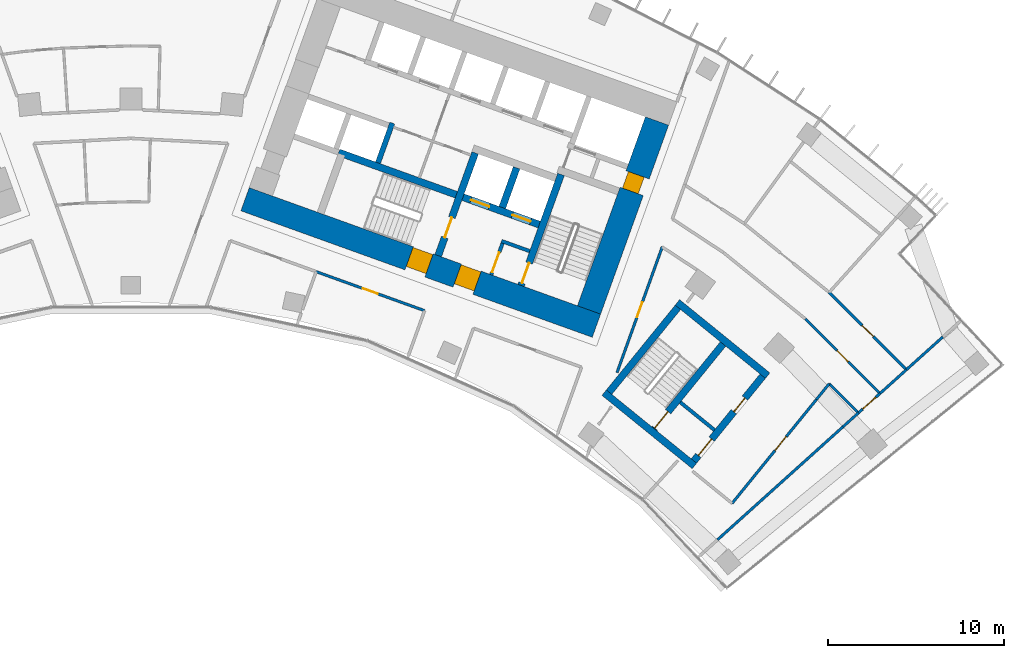
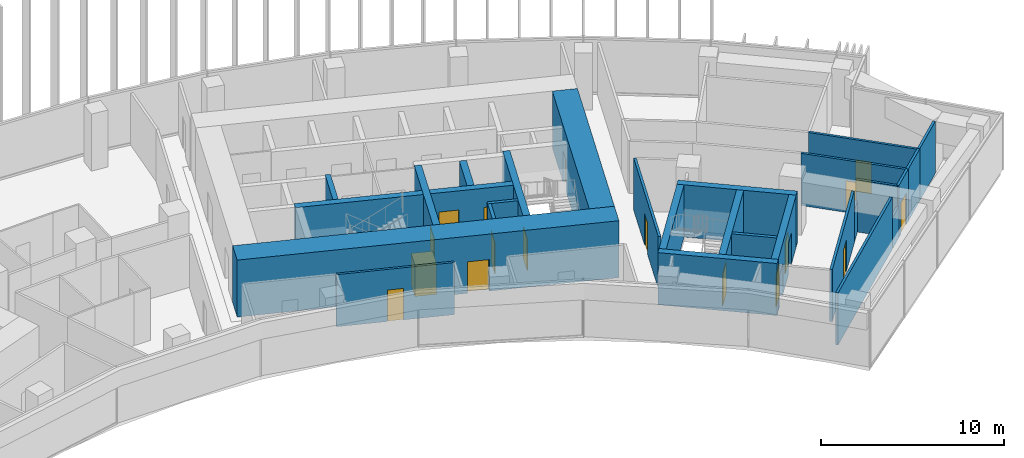
# One storey, part 19 of 23: 27 walls, 17 doors, 17 openings.
"""IFC4 building model written with IfcOpenShell, lengths in metres."""

from ifc_helpers import new_model, si_unit, direction, frame, frame_2d, origin, place, context, subcontext, project, spatial, rectangle, extrude, material, layer, layer_set, type_object, element, fill, save


model = new_model("IFC4")

# Units and contexts
model_context = context("Model", 3, precision=1e-05, world=origin(), true_north=direction((0.0, 1.0)))
body_context = subcontext(model_context, "Body", "Model", "MODEL_VIEW")
ifc_project = project(units=[si_unit("LENGTHUNIT", "METRE"), si_unit("AREAUNIT", "SQUARE_METRE"), si_unit("VOLUMEUNIT", "CUBIC_METRE"), si_unit("PLANEANGLEUNIT", "RADIAN"), si_unit("MASSUNIT", "GRAM", prefix="KILO")], contexts=[model_context])

# Site, building, storey
site_placement = place(None, origin())
site = spatial("IfcSite", under=ifc_project, at=site_placement, CompositionType="ELEMENT")
building_placement = place(site_placement, origin())
building = spatial("IfcBuilding", under=site, at=building_placement, Name="Stone Belt Terrace Tower", CompositionType="ELEMENT")
storey_placement = place(building_placement, frame((0.0, 0.0, 166.800048828125)))
storey = spatial("IfcBuildingStorey", under=building, at=storey_placement, Name="L40", CompositionType="ELEMENT", Elevation=166.800048828125)

# Wall, openings, doors
ifc_material_1 = material(Name="Concrete B80", Category="concrete")
ifc_layer_1 = layer(ifc_material_1, 1.39990234375)
ifc_layer_set_1 = layer_set([ifc_layer_1], Name="Core wall 1400 B80")
wall_type_1 = type_object("IfcWallType", Name="Core wall 1400 B80", PredefinedType="SHEAR", material=ifc_layer_set_1)
wall_1_placement = place(storey_placement, frame((6.4833984375, 49.318115234375, 0.0), z_axis=(0.0, 0.0, 1.0), x_axis=(0.940923374003, -0.33861955681, 0.0)))
wall_1 = element("IfcWall", 1, at=wall_1_placement, inside=storey, type_object=wall_type_1, Name="Core B wall concave L40", PredefinedType="SHEAR", context=body_context, shape_type="SweptSolid", body=[
    extrude(rectangle(XDim=21.199951171875, YDim=1.39990234375, at=frame_2d((10.60009765625, 0.0))), origin(), (0.0, 0.0, 1.0), 3.800048828125),
])
opening_1_placement = place(wall_1_placement, frame((12.800048828125, 0.0, 0.0)))
opening_1 = element("IfcOpeningElement", 2, at=opening_1_placement, cuts=wall_1, Name="Opening L40-C23", PredefinedType="OPENING", context=body_context, shape_type="SweptSolid", body=[
    extrude(rectangle(XDim=1.199951171875, YDim=2.10009765625, at=frame_2d((0.60009765625, 1.050048828125))), frame((0.0, 0.7099609375, 0.0), z_axis=(0.0, -1.0, 0.0), x_axis=(1.0, 0.0, 0.0)), (0.0, 0.0, 1.0), 1.419921875),
])
opening_2_placement = place(wall_1_placement, frame((9.89990234375, 0.0, 0.0)))
opening_2 = element("IfcOpeningElement", 3, at=opening_2_placement, cuts=wall_1, Name="Opening L40-C25", PredefinedType="OPENING", context=body_context, shape_type="SweptSolid", body=[
    extrude(rectangle(XDim=1.199951171875, YDim=2.10009765625, at=frame_2d((0.60009765625, 1.050048828125))), frame((0.0, 0.7099609375, 0.0), z_axis=(0.0, -1.0, 0.0), x_axis=(1.0, 0.0, 0.0)), (0.0, 0.0, 1.0), 1.419921875),
])
ifc_material_2 = material(Name="Steel door leaf", Category="steel")
door_type_1 = type_object("IfcDoorType", Name="Fire-fighting lobby door 1200", OperationType="SINGLE_SWING_LEFT", PredefinedType="DOOR", material=ifc_material_2)
door_1_placement = place(opening_1_placement, origin())
door_1 = element("IfcDoor", 4, at=door_1_placement, inside=storey, type_object=door_type_1, Name="Fire-fighting lobby door core B", OperationType="SINGLE_SWING_RIGHT", OverallHeight=2.10009765625, OverallWidth=1.199951171875, PredefinedType="DOOR", context=body_context, shape_type="SweptSolid", body=[
    extrude(rectangle(XDim=1.199951171875, YDim=2.10009765625, at=frame_2d((0.60009765625, 1.050048828125))), frame((0.0, 0.655029296875, 0.0), z_axis=(0.0, -1.0, 0.0), x_axis=(1.0, 0.0, 0.0)), (0.0, 0.0, 1.0), 1.14990234375),
])
fill(opening_1, door_1)
door_type_2 = type_object("IfcDoorType", Name="Stair door 1200", OperationType="SINGLE_SWING_LEFT", PredefinedType="DOOR", material=ifc_material_2)
door_2_placement = place(opening_2_placement, origin())
door_2 = element("IfcDoor", 5, at=door_2_placement, inside=storey, type_object=door_type_2, Name="Stair 2 exit door core B", OperationType="SINGLE_SWING_LEFT", OverallHeight=2.10009765625, OverallWidth=1.199951171875, PredefinedType="DOOR", context=body_context, shape_type="SweptSolid", body=[
    extrude(rectangle(XDim=1.199951171875, YDim=2.10009765625, at=frame_2d((0.60009765625, 1.050048828125))), frame((0.0, 0.655029296875, 0.0), z_axis=(0.0, -1.0, 0.0), x_axis=(1.0, 0.0, 0.0)), (0.0, 0.0, 1.0), 1.14990234375),
])
fill(opening_2, door_2)

# Wall, opening, door
wall_2_placement = place(storey_placement, frame((26.00927734375, 43.03515625, 0.0), z_axis=(0.0, 0.0, 1.0), x_axis=(0.338625431531, 0.940921259788, 0.0)))
wall_2 = element("IfcWall", 6, at=wall_2_placement, inside=storey, type_object=wall_type_1, Name="Core B wall end_b L40", PredefinedType="SHEAR", context=body_context, shape_type="SweptSolid", body=[
    extrude(rectangle(XDim=11.400146484375, YDim=1.39990234375, at=frame_2d((5.7001953125, 0.0))), origin(), (0.0, 0.0, 1.0), 3.800048828125),
])
opening_3_placement = place(wall_2_placement, frame((7.14990234375, 0.0, 0.0)))
opening_3 = element("IfcOpeningElement", 7, at=opening_3_placement, cuts=wall_2, Name="Opening L40-C17", PredefinedType="OPENING", context=body_context, shape_type="SweptSolid", body=[
    extrude(rectangle(XDim=1.0, YDim=2.10009765625, at=frame_2d((0.5, 1.050048828125))), frame((0.0, 0.7099609375, 0.0), z_axis=(0.0, -1.0, 0.0), x_axis=(1.0, 0.0, 0.0)), (0.0, 0.0, 1.0), 1.419921875),
])
ifc_material_3 = material(Name="Timber door leaf", Category="wood")
door_type_3 = type_object("IfcDoorType", Name="Core room door 1000", OperationType="SINGLE_SWING_LEFT", PredefinedType="DOOR", material=ifc_material_3)
door_3_placement = place(opening_3_placement, origin())
door_3 = element("IfcDoor", 8, at=door_3_placement, inside=storey, type_object=door_type_3, Name="Door to Telecommunications riser room core B", OperationType="SINGLE_SWING_LEFT", OverallHeight=2.10009765625, OverallWidth=1.0, PredefinedType="DOOR", context=body_context, shape_type="SweptSolid", body=[
    extrude(rectangle(XDim=1.0, YDim=2.10009765625, at=frame_2d((0.5, 1.050048828125))), frame((0.0, 0.55517578125, 0.0), z_axis=(0.0, -1.0, 0.0), x_axis=(1.0, 0.0, 0.0)), (0.0, 0.0, 1.0), 0.949951171875),
])
fill(opening_3, door_3)

# Walls
ifc_layer_2 = layer(ifc_material_1, 0.39990234375)
ifc_layer_set_2 = layer_set([ifc_layer_2], Name="Fire-fighting lift shaft wall 400")
wall_type_2 = type_object("IfcWallType", Name="Fire-fighting lift shaft wall 400", PredefinedType="SHEAR", material=ifc_layer_set_2)
wall_3_placement = place(storey_placement, frame((21.0859375, 48.845458984375, 0.0), z_axis=(0.0, 0.0, 1.0), x_axis=(0.338629416206, 0.940919825745, 0.0)))
element("IfcWall", 9, at=wall_3_placement, inside=storey, type_object=wall_type_2, Name="Core B wall", PredefinedType="SHEAR", context=body_context, shape_type="SweptSolid", body=[
    extrude(rectangle(XDim=2.400146484375, YDim=0.39990234375, at=frame_2d((1.2001953125, 0.0))), origin(), (0.0, 0.0, 1.0), 3.47998046875),
])
ifc_layer_3 = layer(ifc_material_1, 0.300048828125)
ifc_layer_set_3 = layer_set([ifc_layer_3], Name="Lift shaft wall 300")
wall_type_3 = type_object("IfcWallType", Name="Lift shaft wall 300", PredefinedType="SHEAR", material=ifc_layer_set_3)
wall_4_placement = place(storey_placement, frame((14.029052734375, 51.38525390625, 0.0), z_axis=(0.0, 0.0, 1.0), x_axis=(0.338661829791, 0.940908159728, 0.0)))
element("IfcWall", 10, at=wall_4_placement, inside=storey, type_object=wall_type_3, Name="Core B wall", PredefinedType="SHEAR", context=body_context, shape_type="SweptSolid", body=[
    extrude(rectangle(XDim=2.39990234375, YDim=0.300048828125, at=frame_2d((1.199951171875, 0.0))), origin(), (0.0, 0.0, 1.0), 3.47998046875),
])

# Wall, opening, door
ifc_material_4 = material(Name="Gypsum board partition")
ifc_layer_4 = layer(ifc_material_4, 0.14990234375)
ifc_layer_set_4 = layer_set([ifc_layer_4], Name="PARTITION 150 EI 60")
wall_type_4 = type_object("IfcWallType", Name="PARTITION 150 EI 60", PredefinedType="PARTITIONING", material=ifc_layer_set_4)
wall_5_placement = place(storey_placement, frame((30.1669921875, 46.612060546875, 0.0), z_axis=(0.0, 0.0, 1.0), x_axis=(-0.338694393991, -0.940896438233, 0.0)))
wall_5 = element("IfcWall", 11, at=wall_5_placement, inside=storey, type_object=wall_type_4, Name="L40/wall/i029", PredefinedType="PARTITIONING", context=body_context, shape_type="SweptSolid", body=[
    extrude(rectangle(XDim=7.585205078125, YDim=0.14990234375, at=frame_2d((3.79248046875, 0.0))), origin(), (0.0, 0.0, 1.0), 3.47998046875),
])
opening_4_placement = place(wall_5_placement, frame((3.342529296875, 0.0, 0.0)))
opening_4 = element("IfcOpeningElement", 12, at=opening_4_placement, cuts=wall_5, Name="Opening D-C2-20", PredefinedType="OPENING", context=body_context, shape_type="SweptSolid", body=[
    extrude(rectangle(XDim=0.89990234375, YDim=2.10009765625, at=frame_2d((0.449951171875, 1.050048828125))), frame((0.0, 0.0849609375, 0.0), z_axis=(0.0, -1.0, 0.0), x_axis=(1.0, 0.0, 0.0)), (0.0, 0.0, 1.0), 0.169921875),
])
door_type_4 = type_object("IfcDoorType", Name="OFFICE DOOR 900 X 2100", OperationType="NOTDEFINED", PredefinedType="DOOR", material=ifc_material_3)
door_4_placement = place(opening_4_placement, origin())
door_4 = element("IfcDoor", 13, at=door_4_placement, inside=storey, type_object=door_type_4, Name="L40/door/i20", OperationType="SINGLE_SWING_RIGHT", OverallHeight=2.10009765625, OverallWidth=0.89990234375, PredefinedType="DOOR", context=body_context, shape_type="SweptSolid", body=[
    extrude(rectangle(XDim=0.89990234375, YDim=2.10009765625, at=frame_2d((0.449951171875, 1.050048828125))), frame((0.0, 0.02490234375, 0.0), z_axis=(0.0, -1.0, 0.0), x_axis=(1.0, 0.0, 0.0)), (0.0, 0.0, 1.0), 0.050048828125),
])
fill(opening_4, door_4)

wall_6_placement = place(storey_placement, frame((16.673095703125, 42.993896484375, 0.0), z_axis=(0.0, 0.0, 1.0), x_axis=(-0.940900248157, 0.338683809795, 0.0)))
wall_6 = element("IfcWall", 14, at=wall_6_placement, inside=storey, type_object=wall_type_4, Name="L40/wall/i036", PredefinedType="PARTITIONING", context=body_context, shape_type="SweptSolid", body=[
    extrude(rectangle(XDim=6.546142578125, YDim=0.14990234375, at=frame_2d((3.27294921875, 0.0))), origin(), (0.0, 0.0, 1.0), 3.47998046875),
])
opening_5_placement = place(wall_6_placement, frame((2.822998046875, 0.0, 0.0)))
opening_5 = element("IfcOpeningElement", 15, at=opening_5_placement, cuts=wall_6, Name="Opening D-C2-08", PredefinedType="OPENING", context=body_context, shape_type="SweptSolid", body=[
    extrude(rectangle(XDim=0.89990234375, YDim=2.10009765625, at=frame_2d((0.449951171875, 1.050048828125))), frame((0.0, 0.0849609375, 0.0), z_axis=(0.0, -1.0, 0.0), x_axis=(1.0, 0.0, 0.0)), (0.0, 0.0, 1.0), 0.169921875),
])
door_5_placement = place(opening_5_placement, origin())
door_5 = element("IfcDoor", 16, at=door_5_placement, inside=storey, type_object=door_type_4, Name="L40/door/i08", OperationType="SINGLE_SWING_RIGHT", OverallHeight=2.10009765625, OverallWidth=0.89990234375, PredefinedType="DOOR", context=body_context, shape_type="SweptSolid", body=[
    extrude(rectangle(XDim=0.89990234375, YDim=2.10009765625, at=frame_2d((0.449951171875, 1.050048828125))), frame((0.0, 0.02490234375, 0.0), z_axis=(0.0, -1.0, 0.0), x_axis=(1.0, 0.0, 0.0)), (0.0, 0.0, 1.0), 0.050048828125),
])
fill(opening_5, door_5)

wall_7_placement = place(storey_placement, frame((42.530029296875, 38.294921875, 0.0), z_axis=(0.0, 0.0, 1.0), x_axis=(-0.74296518681, -0.669330061471, 0.0)))
wall_7 = element("IfcWall", 17, at=wall_7_placement, inside=storey, type_object=wall_type_4, Name="L40/wall/i061", PredefinedType="PARTITIONING", context=body_context, shape_type="SweptSolid", body=[
    extrude(rectangle(XDim=1.6611328125, YDim=0.14990234375, at=frame_2d((0.83056640625, 0.0))), origin(), (0.0, 0.0, 1.0), 3.47998046875),
])
opening_6_placement = place(wall_7_placement, frame((0.33056640625, 0.0, 0.0)))
opening_6 = element("IfcOpeningElement", 18, at=opening_6_placement, cuts=wall_7, Name="Opening D-C2-19", PredefinedType="OPENING", context=body_context, shape_type="SweptSolid", body=[
    extrude(rectangle(XDim=1.0, YDim=2.10009765625, at=frame_2d((0.5, 1.050048828125))), frame((0.0, 0.0849609375, 0.0), z_axis=(0.0, -1.0, 0.0), x_axis=(1.0, 0.0, 0.0)), (0.0, 0.0, 1.0), 0.169921875),
])
ifc_material_5 = material(Name="Timber fire door leaf", Category="wood")
door_type_5 = type_object("IfcDoorType", Name="TENANCY ENTRANCE DOOR 1000 X 2100", OperationType="NOTDEFINED", PredefinedType="DOOR", material=ifc_material_5)
door_6_placement = place(opening_6_placement, origin())
door_6 = element("IfcDoor", 19, at=door_6_placement, inside=storey, type_object=door_type_5, Name="L40/door/i19", OperationType="SINGLE_SWING_RIGHT", OverallHeight=2.10009765625, OverallWidth=1.0, PredefinedType="DOOR", context=body_context, shape_type="SweptSolid", body=[
    extrude(rectangle(XDim=1.0, YDim=2.10009765625, at=frame_2d((0.5, 1.050048828125))), frame((0.0, 0.02490234375, 0.0), z_axis=(0.0, -1.0, 0.0), x_axis=(1.0, 0.0, 0.0)), (0.0, 0.0, 1.0), 0.050048828125),
])
fill(opening_6, door_6)

# Walls
wall_8_placement = place(storey_placement, frame((33.302490234375, 29.985595703125, 0.0), z_axis=(0.0, 0.0, 1.0), x_axis=(0.743110538135, 0.669168684349, 0.0)))
element("IfcWall", 20, at=wall_8_placement, inside=storey, type_object=wall_type_4, Name="L40/wall/i062-3", PredefinedType="PARTITIONING", context=body_context, shape_type="SweptSolid", body=[
    extrude(rectangle(XDim=9.58837890625, YDim=0.14990234375, at=frame_2d((4.794189453125, 0.0))), origin(), (0.0, 0.0, 1.0), 3.47998046875),
])
wall_9_placement = place(storey_placement, frame((40.427734375, 36.40185546875, 0.0), z_axis=(0.0, 0.0, 1.0), x_axis=(0.743098504736, 0.669182047174, 0.0)))
element("IfcWall", 21, at=wall_9_placement, inside=storey, type_object=wall_type_4, Name="L40/wall/i062-4", PredefinedType="PARTITIONING", context=body_context, shape_type="SweptSolid", body=[
    extrude(rectangle(XDim=1.17919921875, YDim=0.14990234375, at=frame_2d((0.589599609375, 0.0))), origin(), (0.0, 0.0, 1.0), 2.079833984375),
])
wall_10_placement = place(storey_placement, frame((42.52197265625, 38.287109375, 0.0), z_axis=(0.0, 0.0, 1.0), x_axis=(0.743276242629, 0.668984623997, 0.0)))
element("IfcWall", 22, at=wall_10_placement, inside=storey, type_object=wall_type_4, Name="L40/wall/i063", PredefinedType="PARTITIONING", context=body_context, shape_type="SweptSolid", body=[
    extrude(rectangle(XDim=2.0341796875, YDim=0.14990234375, at=frame_2d((1.01708984375, 0.0))), origin(), (0.0, 0.0, 1.0), 3.47998046875),
])
wall_11_placement = place(storey_placement, frame((44.02490234375, 39.64111328125, 0.0), z_axis=(0.0, 0.0, 1.0), x_axis=(0.743246210495, 0.669017989732, 0.0)))
element("IfcWall", 23, at=wall_11_placement, inside=storey, type_object=wall_type_4, Name="L40/wall/i064-1", PredefinedType="PARTITIONING", context=body_context, shape_type="SweptSolid", body=[
    extrude(rectangle(XDim=2.785888671875, YDim=0.14990234375, at=frame_2d((1.39306640625, 0.0))), origin(), (0.0, 0.0, 1.0), 3.47998046875),
])
wall_12_placement = place(storey_placement, frame((41.300048828125, 37.18701171875, 0.0), z_axis=(0.0, 0.0, 1.0), x_axis=(-0.707158745675, 0.707054812879, 0.0)))
element("IfcWall", 24, at=wall_12_placement, inside=storey, type_object=wall_type_4, Name="L40/wall/i067", PredefinedType="PARTITIONING", context=body_context, shape_type="SweptSolid", body=[
    extrude(rectangle(XDim=2.34912109375, YDim=0.14990234375, at=frame_2d((1.174560546875, 0.0))), origin(), (0.0, 0.0, 1.0), 3.47998046875),
])

# Wall, opening, door
wall_13_placement = place(storey_placement, frame((38.291015625, 42.52587890625, 0.0), z_axis=(0.0, 0.0, 1.0), x_axis=(0.707106781187, -0.707106781187, 0.0)))
wall_13 = element("IfcWall", 25, at=wall_13_placement, inside=storey, type_object=wall_type_4, Name="L40/wall/i070", PredefinedType="PARTITIONING", context=body_context, shape_type="SweptSolid", body=[
    extrude(rectangle(XDim=5.989013671875, YDim=0.14990234375, at=frame_2d((2.99462890625, 0.0))), origin(), (0.0, 0.0, 1.0), 3.47998046875),
])
opening_7_placement = place(wall_13_placement, frame((2.544677734375, 0.0, 0.0)))
opening_7 = element("IfcOpeningElement", 26, at=opening_7_placement, cuts=wall_13, Name="Opening D-C2-23", PredefinedType="OPENING", context=body_context, shape_type="SweptSolid", body=[
    extrude(rectangle(XDim=0.89990234375, YDim=2.10009765625, at=frame_2d((0.449951171875, 1.050048828125))), frame((0.0, 0.0849609375, 0.0), z_axis=(0.0, -1.0, 0.0), x_axis=(1.0, 0.0, 0.0)), (0.0, 0.0, 1.0), 0.169921875),
])
door_7_placement = place(opening_7_placement, origin())
door_7 = element("IfcDoor", 27, at=door_7_placement, inside=storey, type_object=door_type_4, Name="L40/door/i23", OperationType="SINGLE_SWING_RIGHT", OverallHeight=2.10009765625, OverallWidth=0.89990234375, PredefinedType="DOOR", context=body_context, shape_type="SweptSolid", body=[
    extrude(rectangle(XDim=0.89990234375, YDim=2.10009765625, at=frame_2d((0.449951171875, 1.050048828125))), frame((0.0, 0.02490234375, 0.0), z_axis=(0.0, -1.0, 0.0), x_axis=(1.0, 0.0, 0.0)), (0.0, 0.0, 1.0), 0.050048828125),
])
fill(opening_7, door_7)

# Wall
wall_14_placement = place(storey_placement, frame((39.64306640625, 38.843994140625, 0.0), z_axis=(0.0, 0.0, 1.0), x_axis=(-0.63030447104, -0.776348036506, 0.0)))
element("IfcWall", 28, at=wall_14_placement, inside=storey, type_object=wall_type_4, Name="L40/wall/i071-2", PredefinedType="PARTITIONING", context=body_context, shape_type="SweptSolid", body=[
    extrude(rectangle(XDim=1.1484375, YDim=0.14990234375, at=frame_2d((0.57421875, 0.0))), origin(), (0.0, 0.0, 1.0), 2.079833984375),
])

# Wall, opening, door
wall_15_placement = place(storey_placement, frame((38.919189453125, 37.952392578125, 0.0), z_axis=(0.0, 0.0, 1.0), x_axis=(-0.630214952488, -0.776420706615, 0.0)))
wall_15 = element("IfcWall", 29, at=wall_15_placement, inside=storey, type_object=wall_type_4, Name="L40/wall/i071-3", PredefinedType="PARTITIONING", context=body_context, shape_type="SweptSolid", body=[
    extrude(rectangle(XDim=7.594482421875, YDim=0.14990234375, at=frame_2d((3.79736328125, 0.0))), origin(), (0.0, 0.0, 1.0), 3.47998046875),
])
opening_8_placement = place(wall_15_placement, frame((2.722900390625, 0.0, 0.0)))
opening_8 = element("IfcOpeningElement", 30, at=opening_8_placement, cuts=wall_15, Name="Opening D-C2-22", PredefinedType="OPENING", context=body_context, shape_type="SweptSolid", body=[
    extrude(rectangle(XDim=1.0, YDim=2.10009765625, at=frame_2d((0.5, 1.050048828125))), frame((0.0, 0.0849609375, 0.0), z_axis=(0.0, -1.0, 0.0), x_axis=(1.0, 0.0, 0.0)), (0.0, 0.0, 1.0), 0.169921875),
])
door_8_placement = place(opening_8_placement, origin())
door_8 = element("IfcDoor", 31, at=door_8_placement, inside=storey, type_object=door_type_5, Name="L40/door/i22", OperationType="SINGLE_SWING_RIGHT", OverallHeight=2.10009765625, OverallWidth=1.0, PredefinedType="DOOR", context=body_context, shape_type="SweptSolid", body=[
    extrude(rectangle(XDim=1.0, YDim=2.10009765625, at=frame_2d((0.5, 1.050048828125))), frame((0.0, 0.02490234375, 0.0), z_axis=(0.0, -1.0, 0.0), x_axis=(1.0, 0.0, 0.0)), (0.0, 0.0, 1.0), 0.050048828125),
])
fill(opening_8, door_8)

wall_16_placement = place(storey_placement, frame((39.639892578125, 44.033935546875, 0.0), z_axis=(0.0, 0.0, 1.0), x_axis=(0.707126447351, -0.707087114475, 0.0)))
wall_16 = element("IfcWall", 32, at=wall_16_placement, inside=storey, type_object=wall_type_4, Name="L40/wall/i076", PredefinedType="PARTITIONING", context=body_context, shape_type="SweptSolid", body=[
    extrude(rectangle(XDim=6.20703125, YDim=0.14990234375, at=frame_2d((3.103515625, 0.0))), origin(), (0.0, 0.0, 1.0), 3.47998046875),
])
opening_9_placement = place(wall_16_placement, frame((2.653564453125, 0.0, 0.0)))
opening_9 = element("IfcOpeningElement", 33, at=opening_9_placement, cuts=wall_16, Name="Opening D-C2-26", PredefinedType="OPENING", context=body_context, shape_type="SweptSolid", body=[
    extrude(rectangle(XDim=0.89990234375, YDim=2.10009765625, at=frame_2d((0.449951171875, 1.050048828125))), frame((0.0, 0.0849609375, 0.0), z_axis=(0.0, -1.0, 0.0), x_axis=(1.0, 0.0, 0.0)), (0.0, 0.0, 1.0), 0.169921875),
])
door_9_placement = place(opening_9_placement, origin())
door_9 = element("IfcDoor", 34, at=door_9_placement, inside=storey, type_object=door_type_4, Name="L40/door/i26", OperationType="SINGLE_SWING_RIGHT", OverallHeight=2.10009765625, OverallWidth=0.89990234375, PredefinedType="DOOR", context=body_context, shape_type="SweptSolid", body=[
    extrude(rectangle(XDim=0.89990234375, YDim=2.10009765625, at=frame_2d((0.449951171875, 1.050048828125))), frame((0.0, 0.02490234375, 0.0), z_axis=(0.0, -1.0, 0.0), x_axis=(1.0, 0.0, 0.0)), (0.0, 0.0, 1.0), 0.050048828125),
])
fill(opening_9, door_9)

# Wall
ifc_material_6 = material(Name="Concrete masonry block", Category="masonry")
ifc_layer_5 = layer(ifc_material_6, 0.199951171875)
ifc_layer_set_5 = layer_set([ifc_layer_5], Name="Rated lobby wall 200")
wall_type_5 = type_object("IfcWallType", Name="Rated lobby wall 200", PredefinedType="PARTITIONING", material=ifc_layer_set_5)
wall_17_placement = place(storey_placement, frame((22.640625, 46.373046875, 0.0), z_axis=(0.0, 0.0, 1.0), x_axis=(-0.940966110313, 0.338500781747, 0.0)))
element("IfcWall", 35, at=wall_17_placement, inside=storey, type_object=wall_type_5, Name="Core B wall", PredefinedType="PARTITIONING", context=body_context, shape_type="SweptSolid", body=[
    extrude(rectangle(XDim=1.699951171875, YDim=0.199951171875, at=frame_2d((0.85009765625, 0.0))), origin(), (0.0, 0.0, 1.0), 3.47998046875),
])

# Wall, opening, door
wall_18_placement = place(storey_placement, frame((20.4580078125, 45.032958984375, 0.0), z_axis=(0.0, 0.0, 1.0), x_axis=(0.338573865316, 0.940939816208, 0.0)))
wall_18 = element("IfcWall", 36, at=wall_18_placement, inside=storey, type_object=wall_type_5, Name="Core B wall", PredefinedType="PARTITIONING", context=body_context, shape_type="SweptSolid", body=[
    extrude(rectangle(XDim=1.900146484375, YDim=0.199951171875, at=frame_2d((0.9501953125, 0.0))), origin(), (0.0, 0.0, 1.0), 3.47998046875),
])
opening_10_placement = place(wall_18_placement, frame((0.14990234375, 0.0, 0.0)))
opening_10 = element("IfcOpeningElement", 37, at=opening_10_placement, cuts=wall_18, Name="Opening L40-C22", PredefinedType="OPENING", context=body_context, shape_type="SweptSolid", body=[
    extrude(rectangle(XDim=1.199951171875, YDim=2.10009765625, at=frame_2d((0.60009765625, 1.050048828125))), frame((0.0, 0.10986328125, 0.0), z_axis=(0.0, -1.0, 0.0), x_axis=(1.0, 0.0, 0.0)), (0.0, 0.0, 1.0), 0.219970703125),
])
door_10_placement = place(opening_10_placement, origin())
door_10 = element("IfcDoor", 38, at=door_10_placement, inside=storey, type_object=door_type_2, Name="Stair airlock door core B", OperationType="SINGLE_SWING_RIGHT", OverallHeight=2.10009765625, OverallWidth=1.199951171875, PredefinedType="DOOR", context=body_context, shape_type="SweptSolid", body=[
    extrude(rectangle(XDim=1.199951171875, YDim=2.10009765625, at=frame_2d((0.60009765625, 1.050048828125))), frame((0.0, 0.02490234375, 0.0), z_axis=(0.0, -1.0, 0.0), x_axis=(1.0, 0.0, 0.0)), (0.0, 0.0, 1.0), 0.050048828125),
])
fill(opening_10, door_10)

# Wall
wall_19_placement = place(storey_placement, frame((31.190673828125, 37.79296875, 0.0), z_axis=(0.0, 0.0, 1.0), x_axis=(0.776370830301, -0.630276394813, 0.0)))
element("IfcWall", 39, at=wall_19_placement, inside=storey, type_object=wall_type_5, Name="Exit stair ST3B wall", PredefinedType="PARTITIONING", context=body_context, shape_type="SweptSolid", body=[
    extrude(rectangle(XDim=2.5, YDim=0.199951171875, at=frame_2d((1.25, 0.0))), origin(), (0.0, 0.0, 1.0), 3.47998046875),
])

# Wall, opening, door
ifc_layer_6 = layer(ifc_material_1, 0.39990234375)
ifc_layer_set_6 = layer_set([ifc_layer_6], Name="Stair enclosure wall 400")
wall_type_6 = type_object("IfcWallType", Name="Stair enclosure wall 400", PredefinedType="SHEAR", material=ifc_layer_set_6)
wall_20_placement = place(storey_placement, frame((22.151611328125, 44.42333984375, 0.0), z_axis=(0.0, 0.0, 1.0), x_axis=(0.338625272931, 0.940921316866, 0.0)))
wall_20 = element("IfcWall", 40, at=wall_20_placement, inside=storey, type_object=wall_type_6, Name="Core B wall", PredefinedType="SHEAR", context=body_context, shape_type="SweptSolid", body=[
    extrude(rectangle(XDim=6.699951171875, YDim=0.39990234375, at=frame_2d((3.35009765625, 0.0))), origin(), (0.0, 0.0, 1.0), 3.47998046875),
])
opening_11_placement = place(wall_20_placement, frame((0.14990234375, 0.0, 0.0)))
opening_11 = element("IfcOpeningElement", 41, at=opening_11_placement, cuts=wall_20, Name="Opening L40-C21", PredefinedType="OPENING", context=body_context, shape_type="SweptSolid", body=[
    extrude(rectangle(XDim=1.199951171875, YDim=2.10009765625, at=frame_2d((0.60009765625, 1.050048828125))), frame((0.0, 0.2099609375, 0.0), z_axis=(0.0, -1.0, 0.0), x_axis=(1.0, 0.0, 0.0)), (0.0, 0.0, 1.0), 0.419921875),
])
door_11_placement = place(opening_11_placement, origin())
door_11 = element("IfcDoor", 42, at=door_11_placement, inside=storey, type_object=door_type_2, Name="Stair 1 door core B", OperationType="SINGLE_SWING_RIGHT", OverallHeight=2.10009765625, OverallWidth=1.199951171875, PredefinedType="DOOR", context=body_context, shape_type="SweptSolid", body=[
    extrude(rectangle(XDim=1.199951171875, YDim=2.10009765625, at=frame_2d((0.60009765625, 1.050048828125))), frame((0.0, 0.02490234375, 0.0), z_axis=(0.0, -1.0, 0.0), x_axis=(1.0, 0.0, 0.0)), (0.0, 0.0, 1.0), 0.050048828125),
])
fill(opening_11, door_11)

# Wall, openings, doors
wall_21_placement = place(storey_placement, frame((23.182373046875, 47.87841796875, 0.0), z_axis=(0.0, 0.0, 1.0), x_axis=(-0.940921101762, 0.338625870628, 0.0)))
wall_21 = element("IfcWall", 43, at=wall_21_placement, inside=storey, type_object=wall_type_6, Name="Core B wall", PredefinedType="SHEAR", context=body_context, shape_type="SweptSolid", body=[
    extrude(rectangle(XDim=12.10009765625, YDim=0.39990234375, at=frame_2d((6.050048828125, 0.0))), origin(), (0.0, 0.0, 1.0), 3.47998046875),
])
opening_12_placement = place(wall_21_placement, frame((0.52001953125, 0.0, 0.0)))
opening_12 = element("IfcOpeningElement", 44, at=opening_12_placement, cuts=wall_21, Name="Opening L40-LD14", PredefinedType="OPENING", context=body_context, shape_type="SweptSolid", body=[
    extrude(rectangle(XDim=1.10009765625, YDim=2.199951171875, at=frame_2d((0.550048828125, 1.10009765625))), frame((0.0, 0.2099609375, 0.0), z_axis=(0.0, -1.0, 0.0), x_axis=(1.0, 0.0, 0.0)), (0.0, 0.0, 1.0), 0.419921875),
])
opening_13_placement = place(wall_21_placement, frame((3.02001953125, 0.0, 0.0)))
opening_13 = element("IfcOpeningElement", 45, at=opening_13_placement, cuts=wall_21, Name="Opening L40-LD15", PredefinedType="OPENING", context=body_context, shape_type="SweptSolid", body=[
    extrude(rectangle(XDim=1.10009765625, YDim=2.199951171875, at=frame_2d((0.550048828125, 1.10009765625))), frame((0.0, 0.2099609375, 0.0), z_axis=(0.0, -1.0, 0.0), x_axis=(1.0, 0.0, 0.0)), (0.0, 0.0, 1.0), 0.419921875),
])
ifc_material_7 = material(Name="Stainless steel door leaf", Category="steel")
door_type_6 = type_object("IfcDoorType", Name="Landing door 1100", OperationType="SLIDING_TO_LEFT", PredefinedType="DOOR", material=ifc_material_7)
door_12_placement = place(opening_12_placement, origin())
door_12 = element("IfcDoor", 46, at=door_12_placement, inside=storey, type_object=door_type_6, Name="Landing door FF1 core B", OperationType="SLIDING_TO_LEFT", OverallHeight=2.199951171875, OverallWidth=1.10009765625, PredefinedType="DOOR", context=body_context, shape_type="SweptSolid", body=[
    extrude(rectangle(XDim=1.10009765625, YDim=2.199951171875, at=frame_2d((0.550048828125, 1.10009765625))), frame((0.0, 0.02490234375, 0.0), z_axis=(0.0, -1.0, 0.0), x_axis=(1.0, 0.0, 0.0)), (0.0, 0.0, 1.0), 0.050048828125),
])
fill(opening_12, door_12)
door_13_placement = place(opening_13_placement, origin())
door_13 = element("IfcDoor", 47, at=door_13_placement, inside=storey, type_object=door_type_6, Name="Landing door FF2 core B", OperationType="SLIDING_TO_LEFT", OverallHeight=2.199951171875, OverallWidth=1.10009765625, PredefinedType="DOOR", context=body_context, shape_type="SweptSolid", body=[
    extrude(rectangle(XDim=1.10009765625, YDim=2.199951171875, at=frame_2d((0.550048828125, 1.10009765625))), frame((0.0, 0.02490234375, 0.0), z_axis=(0.0, -1.0, 0.0), x_axis=(1.0, 0.0, 0.0)), (0.0, 0.0, 1.0), 0.050048828125),
])
fill(opening_13, door_13)

# Wall, opening, door
wall_22_placement = place(storey_placement, frame((17.447021484375, 46.116455078125, 0.0), z_axis=(0.0, 0.0, 1.0), x_axis=(0.33860791464, 0.940927563707, 0.0)))
wall_22 = element("IfcWall", 48, at=wall_22_placement, inside=storey, type_object=wall_type_6, Name="Core B wall", PredefinedType="SHEAR", context=body_context, shape_type="SweptSolid", body=[
    extrude(rectangle(XDim=6.199951171875, YDim=0.39990234375, at=frame_2d((3.10009765625, 0.0))), origin(), (0.0, 0.0, 1.0), 3.47998046875),
])
opening_14_placement = place(wall_22_placement, frame((1.10009765625, 0.0, 0.0)))
opening_14 = element("IfcOpeningElement", 49, at=opening_14_placement, cuts=wall_22, Name="Opening L40-C24", PredefinedType="OPENING", context=body_context, shape_type="SweptSolid", body=[
    extrude(rectangle(XDim=1.199951171875, YDim=2.10009765625, at=frame_2d((0.60009765625, 1.050048828125))), frame((0.0, 0.2099609375, 0.0), z_axis=(0.0, -1.0, 0.0), x_axis=(1.0, 0.0, 0.0)), (0.0, 0.0, 1.0), 0.419921875),
])
door_14_placement = place(opening_14_placement, origin())
door_14 = element("IfcDoor", 50, at=door_14_placement, inside=storey, type_object=door_type_2, Name="Stair 2 door core B", OperationType="SINGLE_SWING_RIGHT", OverallHeight=2.10009765625, OverallWidth=1.199951171875, PredefinedType="DOOR", context=body_context, shape_type="SweptSolid", body=[
    extrude(rectangle(XDim=1.199951171875, YDim=2.10009765625, at=frame_2d((0.60009765625, 1.050048828125))), frame((0.0, 0.02490234375, 0.0), z_axis=(0.0, -1.0, 0.0), x_axis=(1.0, 0.0, 0.0)), (0.0, 0.0, 1.0), 0.050048828125),
])
fill(opening_14, door_14)

# Walls
wall_23_placement = place(storey_placement, frame((26.868408203125, 38.3388671875, 0.0), z_axis=(0.0, 0.0, 1.0), x_axis=(0.776428452498, -0.630205409491, 0.0)))
element("IfcWall", 51, at=wall_23_placement, inside=storey, type_object=wall_type_6, Name="Exit stair ST3B wall", PredefinedType="SHEAR", context=body_context, shape_type="SweptSolid", body=[
    extrude(rectangle(XDim=6.60009765625, YDim=0.39990234375, at=frame_2d((3.300048828125, 0.0))), origin(), (0.0, 0.0, 1.0), 3.47998046875),
])
wall_24_placement = place(storey_placement, frame((31.02783203125, 43.46337890625, 0.0), z_axis=(0.0, 0.0, 1.0), x_axis=(0.776413760801, -0.630223509589, 0.0)))
element("IfcWall", 52, at=wall_24_placement, inside=storey, type_object=wall_type_6, Name="Exit stair ST3B wall", PredefinedType="SHEAR", context=body_context, shape_type="SweptSolid", body=[
    extrude(rectangle(XDim=6.599853515625, YDim=0.39990234375, at=frame_2d((3.2998046875, 0.0))), origin(), (0.0, 0.0, 1.0), 3.47998046875),
])
wall_25_placement = place(storey_placement, frame((27.149658203125, 38.3681640625, 0.0), z_axis=(0.0, 0.0, 1.0), x_axis=(0.630211551729, 0.776423466973, 0.0)))
element("IfcWall", 53, at=wall_25_placement, inside=storey, type_object=wall_type_6, Name="Exit stair ST3B wall", PredefinedType="SHEAR", context=body_context, shape_type="SweptSolid", body=[
    extrude(rectangle(XDim=6.199951171875, YDim=0.39990234375, at=frame_2d((3.10009765625, 0.0))), origin(), (0.0, 0.0, 1.0), 3.47998046875),
])

# Wall, openings, doors
wall_26_placement = place(storey_placement, frame((31.963623046875, 34.460693359375, 0.0), z_axis=(0.0, 0.0, 1.0), x_axis=(0.630192283849, 0.776439106033, 0.0)))
wall_26 = element("IfcWall", 54, at=wall_26_placement, inside=storey, type_object=wall_type_6, Name="Exit stair ST3B wall", PredefinedType="SHEAR", context=body_context, shape_type="SweptSolid", body=[
    extrude(rectangle(XDim=6.199951171875, YDim=0.39990234375, at=frame_2d((3.10009765625, 0.0))), origin(), (0.0, 0.0, 1.0), 3.47998046875),
])
opening_15_placement = place(wall_26_placement, frame((0.39990234375, 0.0, 0.0)))
opening_15 = element("IfcOpeningElement", 55, at=opening_15_placement, cuts=wall_26, Name="Opening L40-C31", PredefinedType="OPENING", context=body_context, shape_type="SweptSolid", body=[
    extrude(rectangle(XDim=1.199951171875, YDim=2.10009765625, at=frame_2d((0.60009765625, 1.050048828125))), frame((0.0, 0.2099609375, 0.0), z_axis=(0.0, -1.0, 0.0), x_axis=(1.0, 0.0, 0.0)), (0.0, 0.0, 1.0), 0.419921875),
])
opening_16_placement = place(wall_26_placement, frame((3.60009765625, 0.0, 0.0)))
opening_16 = element("IfcOpeningElement", 56, at=opening_16_placement, cuts=wall_26, Name="Opening L40-C32", PredefinedType="OPENING", context=body_context, shape_type="SweptSolid", body=[
    extrude(rectangle(XDim=1.0, YDim=2.10009765625, at=frame_2d((0.5, 1.050048828125))), frame((0.0, 0.2099609375, 0.0), z_axis=(0.0, -1.0, 0.0), x_axis=(1.0, 0.0, 0.0)), (0.0, 0.0, 1.0), 0.419921875),
])
door_15_placement = place(opening_16_placement, origin())
door_15 = element("IfcDoor", 57, at=door_15_placement, inside=storey, type_object=door_type_3, Name="Door to stair pressurisation plant room ST3B", OperationType="SINGLE_SWING_LEFT", OverallHeight=2.10009765625, OverallWidth=1.0, PredefinedType="DOOR", context=body_context, shape_type="SweptSolid", body=[
    extrude(rectangle(XDim=1.0, YDim=2.10009765625, at=frame_2d((0.5, 1.050048828125))), frame((0.0, 0.02490234375, 0.0), z_axis=(0.0, -1.0, 0.0), x_axis=(1.0, 0.0, 0.0)), (0.0, 0.0, 1.0), 0.050048828125),
])
fill(opening_16, door_15)
door_type_7 = type_object("IfcDoorType", Name="Stair airlock door 1200", OperationType="SINGLE_SWING_LEFT", PredefinedType="DOOR", material=ifc_material_2)
door_16_placement = place(opening_15_placement, origin())
door_16 = element("IfcDoor", 58, at=door_16_placement, inside=storey, type_object=door_type_7, Name="Stair airlock door ST3B", OperationType="SINGLE_SWING_LEFT", OverallHeight=2.10009765625, OverallWidth=1.199951171875, PredefinedType="DOOR", context=body_context, shape_type="SweptSolid", body=[
    extrude(rectangle(XDim=1.199951171875, YDim=2.10009765625, at=frame_2d((0.60009765625, 1.050048828125))), frame((0.0, 0.02490234375, 0.0), z_axis=(0.0, -1.0, 0.0), x_axis=(1.0, 0.0, 0.0)), (0.0, 0.0, 1.0), 0.050048828125),
])
fill(opening_15, door_16)

# Wall, opening, door
wall_27_placement = place(storey_placement, frame((29.7119140625, 36.288330078125, 0.0), z_axis=(0.0, 0.0, 1.0), x_axis=(0.630192283849, 0.776439106033, 0.0)))
wall_27 = element("IfcWall", 59, at=wall_27_placement, inside=storey, type_object=wall_type_6, Name="Exit stair ST3B wall", PredefinedType="SHEAR", context=body_context, shape_type="SweptSolid", body=[
    extrude(rectangle(XDim=6.199951171875, YDim=0.39990234375, at=frame_2d((3.10009765625, 0.0))), origin(), (0.0, 0.0, 1.0), 3.47998046875),
])
opening_17_placement = place(wall_27_placement, frame((0.050048828125, 0.0, 0.0)))
opening_17 = element("IfcOpeningElement", 60, at=opening_17_placement, cuts=wall_27, Name="Opening L40-C30", PredefinedType="OPENING", context=body_context, shape_type="SweptSolid", body=[
    extrude(rectangle(XDim=1.199951171875, YDim=2.10009765625, at=frame_2d((0.60009765625, 1.050048828125))), frame((0.0, 0.2099609375, 0.0), z_axis=(0.0, -1.0, 0.0), x_axis=(1.0, 0.0, 0.0)), (0.0, 0.0, 1.0), 0.419921875),
])
door_17_placement = place(opening_17_placement, origin())
door_17 = element("IfcDoor", 61, at=door_17_placement, inside=storey, type_object=door_type_2, Name="Stair door ST3B", OperationType="SINGLE_SWING_RIGHT", OverallHeight=2.10009765625, OverallWidth=1.199951171875, PredefinedType="DOOR", context=body_context, shape_type="SweptSolid", body=[
    extrude(rectangle(XDim=1.199951171875, YDim=2.10009765625, at=frame_2d((0.60009765625, 1.050048828125))), frame((0.0, 0.02490234375, 0.0), z_axis=(0.0, -1.0, 0.0), x_axis=(1.0, 0.0, 0.0)), (0.0, 0.0, 1.0), 0.050048828125),
])
fill(opening_17, door_17)

save(model, "model.ifc")
